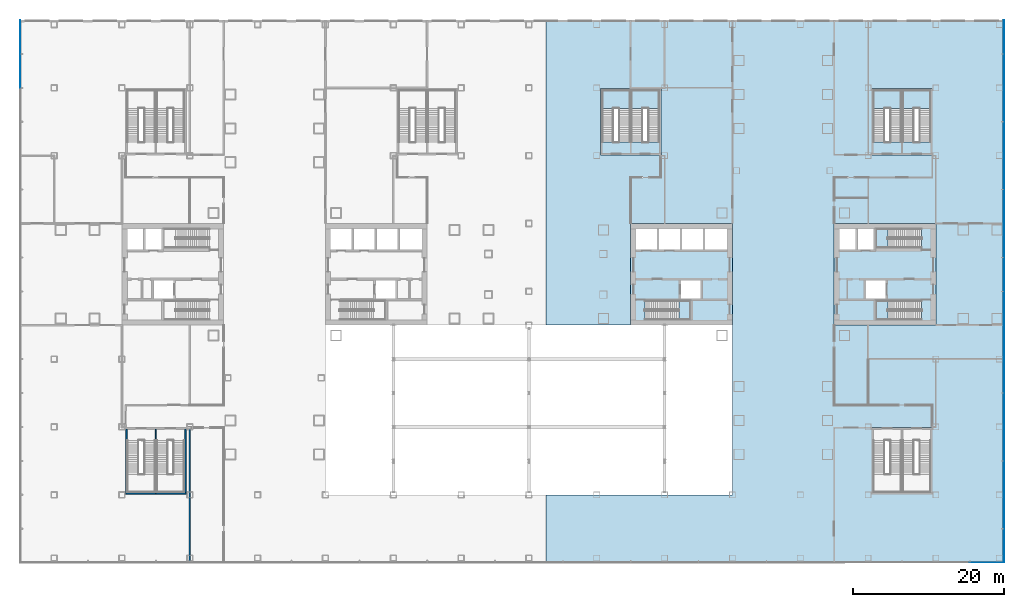
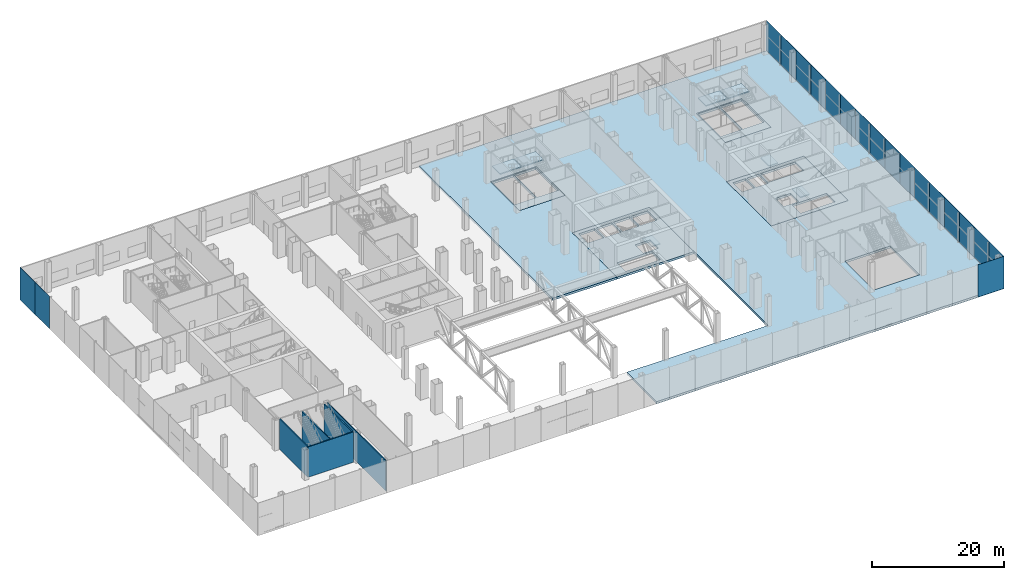
# One storey, part 17 of 33: 19 plates, 12 slabs, 5 walls, 10 elements without a shape of their own.
"""IFC4 building model written with IfcOpenShell, lengths in metres."""

from ifc_helpers import new_model, si_unit, direction, frame, frame_2d, origin, origin_2d, place, context, subcontext, project, spatial, polyline, rectangle, outline, extrude, material, layer, layer_set, type_object, element, aggregate, save


model = new_model("IFC4")

# Units and contexts
model_context = context("Model", 3, precision=1e-05, world=origin(), true_north=direction((0.0, 1.0)))
body_context = subcontext(model_context, "Body", "Model", "MODEL_VIEW")
ifc_project = project(units=[si_unit("LENGTHUNIT", "METRE"), si_unit("AREAUNIT", "SQUARE_METRE"), si_unit("VOLUMEUNIT", "CUBIC_METRE"), si_unit("PLANEANGLEUNIT", "RADIAN"), si_unit("MASSUNIT", "GRAM", prefix="KILO")], contexts=[model_context])

# Site, building, storey
site_placement = place(None, origin())
site = spatial("IfcSite", under=ifc_project, at=site_placement, CompositionType="ELEMENT")
building_placement = place(site_placement, origin())
building = spatial("IfcBuilding", under=site, at=building_placement, Name="Shamsa Quay Exchange Towers", CompositionType="ELEMENT")
storey_placement = place(building_placement, frame((0.0, 0.0, 6.5)))
storey = spatial("IfcBuildingStorey", under=building, at=storey_placement, Name="L01", CompositionType="ELEMENT", Elevation=6.5)

# Slabs
ifc_material_1 = material(Name="Concrete C50/60", Category="concrete")
ifc_layer_1 = layer(ifc_material_1, 0.39990234375)
ifc_layer_set_1 = layer_set([ifc_layer_1], Name="CORE FLOOR 400 C50/60")
slab_type_1 = type_object("IfcSlabType", Name="CORE FLOOR 400 C50/60", PredefinedType="FLOOR", material=ifc_layer_set_1)
slab_1_placement = place(storey_placement, frame((0.0, 0.0, -0.39990234375)))
element("IfcSlab", 1, at=slab_1_placement, inside=storey, type_object=slab_type_1, Name="Core floor T2A", PredefinedType="FLOOR", context=body_context, shape_type="SweptSolid", body=[
    extrude(outline(polyline([(13.5, -6.75), (27.0, -6.75), (27.0, 6.75), (13.5, 6.75), (13.5, -6.75)]), holes=[polyline([(15.400634765625, -6.050048828125), (15.400634765625, -3.5), (21.5, -3.5), (21.5, -6.050048828125), (15.400634765625, -6.050048828125)]), polyline([(14.199951171875, 3.25), (14.199951171875, 6.050048828125), (17.0, 6.050048828125), (17.0, 3.25), (14.199951171875, 3.25)]), polyline([(17.25, 3.25), (17.25, 6.050048828125), (20.050048828125, 6.050048828125), (20.050048828125, 3.25), (17.25, 3.25)]), polyline([(20.300048828125, 3.25), (20.300048828125, 6.050048828125), (23.10009765625, 6.050048828125), (23.10009765625, 3.25), (20.300048828125, 3.25)]), polyline([(23.35009765625, 3.25), (23.35009765625, 6.050048828125), (26.300048828125, 6.050048828125), (26.300048828125, 3.25), (23.35009765625, 3.25)]), polyline([(20.14990234375, -3.25), (20.14990234375, -0.75), (22.800048828125, -0.75), (22.800048828125, -3.25), (20.14990234375, -3.25)])]), origin(), (0.0, 0.0, 1.0), 0.39990234375),
])
slab_2_placement = place(storey_placement, frame((0.0, 0.0, -0.39990234375)))
element("IfcSlab", 2, at=slab_2_placement, inside=storey, type_object=slab_type_1, Name="Core floor T2B", PredefinedType="FLOOR", context=body_context, shape_type="SweptSolid", body=[
    extrude(outline(polyline([(54.0, -6.75), (54.0, 6.75), (40.5, 6.75), (40.5, -6.75), (54.0, -6.75)]), holes=[polyline([(52.099365234375, -3.5), (52.099365234375, -6.050048828125), (46.0, -6.050048828125), (46.0, -3.5), (52.099365234375, -3.5)]), polyline([(52.099365234375, 6.050048828125), (52.099365234375, 3.5), (46.0, 3.5), (46.0, 6.050048828125), (52.099365234375, 6.050048828125)]), polyline([(45.75, 3.25), (43.60009765625, 3.25), (43.60009765625, 6.050048828125), (45.75, 6.050048828125), (45.75, 3.25)]), polyline([(43.35009765625, 3.25), (41.199951171875, 3.25), (41.199951171875, 6.050048828125), (43.35009765625, 6.050048828125), (43.35009765625, 3.25)]), polyline([(47.35009765625, -3.25), (44.699951171875, -3.25), (44.699951171875, -0.75), (47.35009765625, -0.75), (47.35009765625, -3.25)])]), origin(), (0.0, 0.0, 1.0), 0.39990234375),
])
slab_3_placement = place(storey_placement, frame((0.0, 0.0, -0.39990234375)))
element("IfcSlab", 3, at=slab_3_placement, inside=storey, type_object=slab_type_1, Name="Stair floor PS3", PredefinedType="FLOOR", context=body_context, shape_type="SweptSolid", body=[
    extrude(outline(polyline([(9.5, 15.85009765625), (17.5, 15.85009765625), (17.5, 24.64990234375), (9.5, 24.64990234375), (9.5, 15.85009765625)]), holes=[polyline([(13.425048828125, 17.55078125), (9.699951171875, 17.55078125), (9.699951171875, 24.449951171875), (13.425048828125, 24.449951171875), (13.425048828125, 17.55078125)]), polyline([(17.300048828125, 17.55078125), (13.574951171875, 17.55078125), (13.574951171875, 24.449951171875), (17.300048828125, 24.449951171875), (17.300048828125, 17.55078125)])]), origin(), (0.0, 0.0, 1.0), 0.39990234375),
])
slab_4_placement = place(storey_placement, frame((0.0, 0.0, -0.39990234375)))
element("IfcSlab", 4, at=slab_4_placement, inside=storey, type_object=slab_type_1, Name="Stair floor PS4", PredefinedType="FLOOR", context=body_context, shape_type="SweptSolid", body=[
    extrude(outline(polyline([(45.5, 15.85009765625), (53.5, 15.85009765625), (53.5, 24.64990234375), (45.5, 24.64990234375), (45.5, 15.85009765625)]), holes=[polyline([(49.425048828125, 17.55078125), (45.699951171875, 17.55078125), (45.699951171875, 24.449951171875), (49.425048828125, 24.449951171875), (49.425048828125, 17.55078125)]), polyline([(53.300048828125, 17.55078125), (49.574951171875, 17.55078125), (49.574951171875, 24.449951171875), (53.300048828125, 24.449951171875), (53.300048828125, 17.55078125)])]), origin(), (0.0, 0.0, 1.0), 0.39990234375),
])

# Stair, slab
ifc_material_2 = material(Name="Concrete C40/50", Category="concrete")
stair_type_1 = type_object("IfcStairType", Name="EXIT STAIR 34 RISERS 176 MM", PredefinedType="HALF_TURN_STAIR", material=ifc_material_2)
stair_1_placement = place(storey_placement, origin())
stair_1 = element("IfcStair", 5, at=stair_1_placement, inside=storey, type_object=stair_type_1, Name="L01 Exit stair ST4", PredefinedType="HALF_TURN_STAIR")
ifc_layer_2 = layer(ifc_material_2, 0.199951171875)
ifc_layer_set_2 = layer_set([ifc_layer_2], Name="CORE STAIR LANDING")
slab_type_2 = type_object("IfcSlabType", Name="CORE STAIR LANDING", PredefinedType="LANDING", material=ifc_layer_set_2)
slab_5_placement = place(storey_placement, frame((0.0, 0.0, 2.800048828125)))
slab_5 = element("IfcSlab", 6, at=slab_5_placement, type_object=slab_type_2, Name="ST4 landing 1", PredefinedType="LANDING", context=body_context, shape_type="SweptSolid", body=[
    extrude(outline(polyline([(19.8798828125, -6.050048828125), (21.5, -6.050048828125), (21.5, -3.5), (19.8798828125, -3.5), (19.8798828125, -6.050048828125)])), origin(), (0.0, 0.0, 1.0), 0.199951171875),
])
aggregate(stair_1, [slab_5])

stair_2_placement = place(storey_placement, origin())
stair_2 = element("IfcStair", 7, at=stair_2_placement, inside=storey, type_object=stair_type_1, Name="L01 Exit stair ST5", PredefinedType="HALF_TURN_STAIR")
slab_6_placement = place(storey_placement, frame((0.0, 0.0, 2.800048828125)))
slab_6 = element("IfcSlab", 8, at=slab_6_placement, type_object=slab_type_2, Name="ST5 landing 1", PredefinedType="LANDING", context=body_context, shape_type="SweptSolid", body=[
    extrude(outline(polyline([(47.6201171875, -3.5), (46.0, -3.5), (46.0, -6.050048828125), (47.6201171875, -6.050048828125), (47.6201171875, -3.5)])), origin(), (0.0, 0.0, 1.0), 0.199951171875),
])
aggregate(stair_2, [slab_6])

stair_3_placement = place(storey_placement, origin())
stair_3 = element("IfcStair", 9, at=stair_3_placement, inside=storey, type_object=stair_type_1, Name="L01 Exit stair ST6", PredefinedType="HALF_TURN_STAIR")
slab_7_placement = place(storey_placement, frame((0.0, 0.0, 2.800048828125)))
slab_7 = element("IfcSlab", 10, at=slab_7_placement, type_object=slab_type_2, Name="ST6 landing 1", PredefinedType="LANDING", context=body_context, shape_type="SweptSolid", body=[
    extrude(outline(polyline([(47.6201171875, 6.050048828125), (46.0, 6.050048828125), (46.0, 3.5), (47.6201171875, 3.5), (47.6201171875, 6.050048828125)])), origin(), (0.0, 0.0, 1.0), 0.199951171875),
])
aggregate(stair_3, [slab_7])

stair_type_2 = type_object("IfcStairType", Name="PODIUM EXIT STAIR 34 RISERS 176 MM 1500 WIDE", PredefinedType="HALF_TURN_STAIR", material=ifc_material_2)
stair_4_placement = place(storey_placement, origin())
stair_4 = element("IfcStair", 11, at=stair_4_placement, inside=storey, type_object=stair_type_2, Name="L01 Exit stair PS3A", PredefinedType="HALF_TURN_STAIR")
slab_8_placement = place(storey_placement, frame((0.0, 0.0, 2.800048828125)))
slab_8 = element("IfcSlab", 12, at=slab_8_placement, type_object=slab_type_2, Name="PS3A landing 1", PredefinedType="LANDING", context=body_context, shape_type="SweptSolid", body=[
    extrude(outline(polyline([(13.425048828125, 22.030029296875), (13.425048828125, 24.449951171875), (9.699951171875, 24.449951171875), (9.699951171875, 22.030029296875), (13.425048828125, 22.030029296875)])), origin(), (0.0, 0.0, 1.0), 0.199951171875),
])
aggregate(stair_4, [slab_8])

stair_5_placement = place(storey_placement, origin())
stair_5 = element("IfcStair", 13, at=stair_5_placement, inside=storey, type_object=stair_type_2, Name="L01 Exit stair PS3B", PredefinedType="HALF_TURN_STAIR")
slab_9_placement = place(storey_placement, frame((0.0, 0.0, 2.800048828125)))
slab_9 = element("IfcSlab", 14, at=slab_9_placement, type_object=slab_type_2, Name="PS3B landing 1", PredefinedType="LANDING", context=body_context, shape_type="SweptSolid", body=[
    extrude(outline(polyline([(17.300048828125, 22.030029296875), (17.300048828125, 24.449951171875), (13.574951171875, 24.449951171875), (13.574951171875, 22.030029296875), (17.300048828125, 22.030029296875)])), origin(), (0.0, 0.0, 1.0), 0.199951171875),
])
aggregate(stair_5, [slab_9])

stair_6_placement = place(storey_placement, origin())
stair_6 = element("IfcStair", 15, at=stair_6_placement, inside=storey, type_object=stair_type_2, Name="L01 Exit stair PS4A", PredefinedType="HALF_TURN_STAIR")
slab_10_placement = place(storey_placement, frame((0.0, 0.0, 2.800048828125)))
slab_10 = element("IfcSlab", 16, at=slab_10_placement, type_object=slab_type_2, Name="PS4A landing 1", PredefinedType="LANDING", context=body_context, shape_type="SweptSolid", body=[
    extrude(outline(polyline([(49.425048828125, 22.030029296875), (49.425048828125, 24.449951171875), (45.699951171875, 24.449951171875), (45.699951171875, 22.030029296875), (49.425048828125, 22.030029296875)])), origin(), (0.0, 0.0, 1.0), 0.199951171875),
])
aggregate(stair_6, [slab_10])

stair_7_placement = place(storey_placement, origin())
stair_7 = element("IfcStair", 17, at=stair_7_placement, inside=storey, type_object=stair_type_2, Name="L01 Exit stair PS4B", PredefinedType="HALF_TURN_STAIR")
slab_11_placement = place(storey_placement, frame((0.0, 0.0, 2.800048828125)))
slab_11 = element("IfcSlab", 18, at=slab_11_placement, type_object=slab_type_2, Name="PS4B landing 1", PredefinedType="LANDING", context=body_context, shape_type="SweptSolid", body=[
    extrude(outline(polyline([(53.300048828125, 22.030029296875), (53.300048828125, 24.449951171875), (49.574951171875, 24.449951171875), (49.574951171875, 22.030029296875), (53.300048828125, 22.030029296875)])), origin(), (0.0, 0.0, 1.0), 0.199951171875),
])
aggregate(stair_7, [slab_11])

# Curtain wall, plates
ifc_material_3 = material(Name="Aluminium EN AW-6063 T6, black anodised", Category="aluminium")
ifc_layer_3 = layer(ifc_material_3, 0.33203125)
ifc_layer_set_3 = layer_set([ifc_layer_3], Name="CW-3 PODIUM SHOPFRONT GLAZING")
curtain_wall_type = type_object("IfcCurtainWallType", Name="CW-3 PODIUM SHOPFRONT GLAZING", PredefinedType="NOTDEFINED", material=ifc_layer_set_3)
curtain_wall_1_placement = place(storey_placement, origin())
curtain_wall_1 = element("IfcCurtainWall", 19, at=curtain_wall_1_placement, inside=storey, type_object=curtain_wall_type, Name="CW3 PODIUM-L01-F00", PredefinedType="NOTDEFINED")
ifc_material_4 = material(Name="Glass, laminated, impact rated, clear low iron", Category="glass")
ifc_layer_4 = layer(ifc_material_4, 0.031982421875)
ifc_layer_set_4 = layer_set([ifc_layer_4], Name="CW-3 SHOPFRONT GLASS 32")
plate_type = type_object("IfcPlateType", Name="CW-3 SHOPFRONT GLASS 32", PredefinedType="CURTAIN_PANEL", material=ifc_layer_set_4)
plate_1_placement = place(storey_placement, frame((63.01611328125, -36.00244140625, -0.35009765625), z_axis=(0.0, 0.0, 1.0), x_axis=(0.0, 1.0, 0.0)))
plate_1 = element("IfcPlate", 20, at=plate_1_placement, type_object=plate_type, Name="CW3 glass panel", PredefinedType="CURTAIN_PANEL", context=body_context, shape_type="SweptSolid", body=[
    extrude(rectangle(XDim=4.4951171875, YDim=0.031982421875, at=origin_2d()), origin(), (0.0, 0.0, 1.0), 6.0),
])
plate_2_placement = place(storey_placement, frame((63.01611328125, -31.5, -0.35009765625), z_axis=(0.0, 0.0, 1.0), x_axis=(0.0, 1.0, 0.0)))
plate_2 = element("IfcPlate", 21, at=plate_2_placement, type_object=plate_type, Name="CW3 glass panel", PredefinedType="CURTAIN_PANEL", context=body_context, shape_type="SweptSolid", body=[
    extrude(rectangle(XDim=4.489990234375, YDim=0.031982421875, at=origin_2d()), origin(), (0.0, 0.0, 1.0), 6.0),
])
plate_3_placement = place(storey_placement, frame((63.01611328125, -27.0, -0.35009765625), z_axis=(0.0, 0.0, 1.0), x_axis=(0.0, 1.0, 0.0)))
plate_3 = element("IfcPlate", 22, at=plate_3_placement, type_object=plate_type, Name="CW3 glass panel", PredefinedType="CURTAIN_PANEL", context=body_context, shape_type="SweptSolid", body=[
    extrude(rectangle(XDim=4.489990234375, YDim=0.031982421875, at=origin_2d()), origin(), (0.0, 0.0, 1.0), 6.0),
])
plate_4_placement = place(storey_placement, frame((63.01611328125, -22.5, -0.35009765625), z_axis=(0.0, 0.0, 1.0), x_axis=(0.0, 1.0, 0.0)))
plate_4 = element("IfcPlate", 23, at=plate_4_placement, type_object=plate_type, Name="CW3 glass panel", PredefinedType="CURTAIN_PANEL", context=body_context, shape_type="SweptSolid", body=[
    extrude(rectangle(XDim=4.489990234375, YDim=0.031982421875, at=origin_2d()), origin(), (0.0, 0.0, 1.0), 6.0),
])
plate_5_placement = place(storey_placement, frame((63.01611328125, -18.0, -0.35009765625), z_axis=(0.0, 0.0, 1.0), x_axis=(0.0, 1.0, 0.0)))
plate_5 = element("IfcPlate", 24, at=plate_5_placement, type_object=plate_type, Name="CW3 glass panel", PredefinedType="CURTAIN_PANEL", context=body_context, shape_type="SweptSolid", body=[
    extrude(rectangle(XDim=4.489990234375, YDim=0.031982421875, at=origin_2d()), origin(), (0.0, 0.0, 1.0), 6.0),
])
plate_6_placement = place(storey_placement, frame((63.01611328125, -13.5, -0.35009765625), z_axis=(0.0, 0.0, 1.0), x_axis=(0.0, 1.0, 0.0)))
plate_6 = element("IfcPlate", 25, at=plate_6_placement, type_object=plate_type, Name="CW3 glass panel", PredefinedType="CURTAIN_PANEL", context=body_context, shape_type="SweptSolid", body=[
    extrude(rectangle(XDim=4.489990234375, YDim=0.031982421875, at=origin_2d()), origin(), (0.0, 0.0, 1.0), 6.0),
])
plate_7_placement = place(storey_placement, frame((63.01611328125, -9.0, -0.35009765625), z_axis=(0.0, 0.0, 1.0), x_axis=(0.0, 1.0, 0.0)))
plate_7 = element("IfcPlate", 26, at=plate_7_placement, type_object=plate_type, Name="CW3 glass panel", PredefinedType="CURTAIN_PANEL", context=body_context, shape_type="SweptSolid", body=[
    extrude(rectangle(XDim=4.489990234375, YDim=0.031982421875, at=origin_2d()), origin(), (0.0, 0.0, 1.0), 6.0),
])
plate_8_placement = place(storey_placement, frame((63.01611328125, -4.5, -0.35009765625), z_axis=(0.0, 0.0, 1.0), x_axis=(0.0, 1.0, 0.0)))
plate_8 = element("IfcPlate", 27, at=plate_8_placement, type_object=plate_type, Name="CW3 glass panel", PredefinedType="CURTAIN_PANEL", context=body_context, shape_type="SweptSolid", body=[
    extrude(rectangle(XDim=4.489990234375, YDim=0.031982421875, at=origin_2d()), origin(), (0.0, 0.0, 1.0), 6.0),
])
plate_9_placement = place(storey_placement, frame((63.01611328125, 0.0, -0.35009765625), z_axis=(0.0, 0.0, 1.0), x_axis=(0.0, 1.0, 0.0)))
plate_9 = element("IfcPlate", 28, at=plate_9_placement, type_object=plate_type, Name="CW3 glass panel", PredefinedType="CURTAIN_PANEL", context=body_context, shape_type="SweptSolid", body=[
    extrude(rectangle(XDim=4.489990234375, YDim=0.031982421875, at=origin_2d()), origin(), (0.0, 0.0, 1.0), 6.0),
])
plate_10_placement = place(storey_placement, frame((63.01611328125, 4.5, -0.35009765625), z_axis=(0.0, 0.0, 1.0), x_axis=(0.0, 1.0, 0.0)))
plate_10 = element("IfcPlate", 29, at=plate_10_placement, type_object=plate_type, Name="CW3 glass panel", PredefinedType="CURTAIN_PANEL", context=body_context, shape_type="SweptSolid", body=[
    extrude(rectangle(XDim=4.489990234375, YDim=0.031982421875, at=origin_2d()), origin(), (0.0, 0.0, 1.0), 6.0),
])
plate_11_placement = place(storey_placement, frame((63.01611328125, 9.0, -0.35009765625), z_axis=(0.0, 0.0, 1.0), x_axis=(0.0, 1.0, 0.0)))
plate_11 = element("IfcPlate", 30, at=plate_11_placement, type_object=plate_type, Name="CW3 glass panel", PredefinedType="CURTAIN_PANEL", context=body_context, shape_type="SweptSolid", body=[
    extrude(rectangle(XDim=4.489990234375, YDim=0.031982421875, at=origin_2d()), origin(), (0.0, 0.0, 1.0), 6.0),
])
plate_12_placement = place(storey_placement, frame((63.01611328125, 13.5, -0.35009765625), z_axis=(0.0, 0.0, 1.0), x_axis=(0.0, 1.0, 0.0)))
plate_12 = element("IfcPlate", 31, at=plate_12_placement, type_object=plate_type, Name="CW3 glass panel", PredefinedType="CURTAIN_PANEL", context=body_context, shape_type="SweptSolid", body=[
    extrude(rectangle(XDim=4.489990234375, YDim=0.031982421875, at=origin_2d()), origin(), (0.0, 0.0, 1.0), 6.0),
])
plate_13_placement = place(storey_placement, frame((63.01611328125, 18.0, -0.35009765625), z_axis=(0.0, 0.0, 1.0), x_axis=(0.0, 1.0, 0.0)))
plate_13 = element("IfcPlate", 32, at=plate_13_placement, type_object=plate_type, Name="CW3 glass panel", PredefinedType="CURTAIN_PANEL", context=body_context, shape_type="SweptSolid", body=[
    extrude(rectangle(XDim=4.489990234375, YDim=0.031982421875, at=origin_2d()), origin(), (0.0, 0.0, 1.0), 6.0),
])
plate_14_placement = place(storey_placement, frame((63.01611328125, 22.5, -0.35009765625), z_axis=(0.0, 0.0, 1.0), x_axis=(0.0, 1.0, 0.0)))
plate_14 = element("IfcPlate", 33, at=plate_14_placement, type_object=plate_type, Name="CW3 glass panel", PredefinedType="CURTAIN_PANEL", context=body_context, shape_type="SweptSolid", body=[
    extrude(rectangle(XDim=4.489990234375, YDim=0.031982421875, at=origin_2d()), origin(), (0.0, 0.0, 1.0), 6.0),
])
plate_15_placement = place(storey_placement, frame((63.01611328125, 27.0, -0.35009765625), z_axis=(0.0, 0.0, 1.0), x_axis=(0.0, 1.0, 0.0)))
plate_15 = element("IfcPlate", 34, at=plate_15_placement, type_object=plate_type, Name="CW3 glass panel", PredefinedType="CURTAIN_PANEL", context=body_context, shape_type="SweptSolid", body=[
    extrude(rectangle(XDim=4.489990234375, YDim=0.031982421875, at=origin_2d()), origin(), (0.0, 0.0, 1.0), 6.0),
])
plate_16_placement = place(storey_placement, frame((63.01611328125, 31.50244140625, -0.35009765625), z_axis=(0.0, 0.0, 1.0), x_axis=(0.0, 1.0, 0.0)))
plate_16 = element("IfcPlate", 35, at=plate_16_placement, type_object=plate_type, Name="CW3 glass panel", PredefinedType="CURTAIN_PANEL", context=body_context, shape_type="SweptSolid", body=[
    extrude(rectangle(XDim=4.4951171875, YDim=0.031982421875, at=origin_2d()), origin(), (0.0, 0.0, 1.0), 6.0),
])
aggregate(curtain_wall_1, [plate_1, plate_2, plate_3, plate_4, plate_5, plate_6, plate_7, plate_8, plate_9, plate_10, plate_11, plate_12, plate_13, plate_14, plate_15, plate_16])

curtain_wall_2_placement = place(storey_placement, origin())
curtain_wall_2 = element("IfcCurtainWall", 36, at=curtain_wall_2_placement, inside=storey, type_object=curtain_wall_type, Name="CW3 PODIUM-L01-F02", PredefinedType="NOTDEFINED")
plate_17_placement = place(storey_placement, frame((-67.51611328125, 31.50244140625, -0.35009765625), z_axis=(0.0, 0.0, 1.0), x_axis=(0.0, -1.0, 0.0)))
plate_17 = element("IfcPlate", 37, at=plate_17_placement, type_object=plate_type, Name="CW3 glass panel", PredefinedType="CURTAIN_PANEL", context=body_context, shape_type="SweptSolid", body=[
    extrude(rectangle(XDim=4.4951171875, YDim=0.031982421875, at=origin_2d()), origin(), (0.0, 0.0, 1.0), 6.0),
])
plate_18_placement = place(storey_placement, frame((-67.51611328125, 27.0, -0.35009765625), z_axis=(0.0, 0.0, 1.0), x_axis=(0.0, -1.0, 0.0)))
plate_18 = element("IfcPlate", 38, at=plate_18_placement, type_object=plate_type, Name="CW3 glass panel", PredefinedType="CURTAIN_PANEL", context=body_context, shape_type="SweptSolid", body=[
    extrude(rectangle(XDim=4.489990234375, YDim=0.031982421875, at=origin_2d()), origin(), (0.0, 0.0, 1.0), 6.0),
])
aggregate(curtain_wall_2, [plate_17, plate_18])

# Curtain wall, plate
curtain_wall_3_placement = place(storey_placement, origin())
curtain_wall_3 = element("IfcCurtainWall", 39, at=curtain_wall_3_placement, inside=storey, type_object=curtain_wall_type, Name="CW3 PODIUM-L01-F03", PredefinedType="NOTDEFINED")
plate_19_placement = place(storey_placement, frame((60.75244140625, -38.26611328125, -0.35009765625)))
plate_19 = element("IfcPlate", 40, at=plate_19_placement, type_object=plate_type, Name="CW3 glass panel", PredefinedType="CURTAIN_PANEL", context=body_context, shape_type="SweptSolid", body=[
    extrude(rectangle(XDim=4.4951171875, YDim=0.031982421875, at=origin_2d()), origin(), (0.0, 0.0, 1.0), 6.0),
])
aggregate(curtain_wall_3, [plate_19])

# Slab
ifc_layer_5 = layer(ifc_material_2, 0.39990234375)
ifc_layer_set_5 = layer_set([ifc_layer_5], Name="Flat slab 400")
slab_type_3 = type_object("IfcSlabType", Name="Flat slab 400", PredefinedType="FLOOR", material=ifc_layer_set_5)
slab_12_placement = place(storey_placement, frame((0.0, 0.0, -0.39990234375)))
element("IfcSlab", 41, at=slab_12_placement, inside=storey, type_object=slab_type_3, Name="Flat slab PD L01 2", PredefinedType="FLOOR", context=body_context, shape_type="SweptSolid", body=[
    extrude(outline(polyline([(63.0, 33.75), (2.25, 33.75), (2.25, -6.75), (13.5, -6.75), (13.5, 6.75), (27.0, 6.75), (27.0, -29.25), (2.25, -29.25), (2.25, -38.25), (63.0, -38.25), (63.0, 33.75)]), holes=[polyline([(45.5, -20.35009765625), (45.5, -29.14990234375), (53.5, -29.14990234375), (53.5, -20.35009765625), (45.5, -20.35009765625)]), polyline([(40.5, -6.75), (54.0, -6.75), (54.0, 6.75), (40.5, 6.75), (40.5, -6.75)]), polyline([(9.5, 24.64990234375), (9.5, 15.85009765625), (17.5, 15.85009765625), (17.5, 24.64990234375), (9.5, 24.64990234375)]), polyline([(45.5, 24.64990234375), (45.5, 15.85009765625), (53.5, 15.85009765625), (53.5, 24.64990234375), (45.5, 24.64990234375)])]), origin(), (0.0, 0.0, 1.0), 0.39990234375),
])

# Walls
ifc_material_5 = material(Name="Gypsum board partition on metal studs")
ifc_layer_6 = layer(ifc_material_5, 0.14990234375)
ifc_layer_set_6 = layer_set([ifc_layer_6], Name="Partition 150 mm EI 60")
wall_type_1 = type_object("IfcWallType", Name="Partition 150 mm EI 60", PredefinedType="PARTITIONING", material=ifc_layer_set_6)
wall_1_placement = place(storey_placement, frame((-45.0, -38.155029296875, 0.0), z_axis=(0.0, 0.0, 1.0), x_axis=(0.0, 1.0, 0.0)))
element("IfcWall", 42, at=wall_1_placement, inside=storey, type_object=wall_type_1, Name="Partition PD-L01-W44", PredefinedType="PARTITIONING", context=body_context, shape_type="SweptSolid", body=[
    extrude(rectangle(XDim=17.73046875, YDim=0.14990234375, at=frame_2d((8.865234375, 0.0))), origin(), (0.0, 0.0, 1.0), 5.60009765625),
])
ifc_layer_7 = layer(ifc_material_1, 0.199951171875)
ifc_layer_set_7 = layer_set([ifc_layer_7], Name="STAIR ENCLOSURE WALL 200 C50/60")
wall_type_2 = type_object("IfcWallType", Name="STAIR ENCLOSURE WALL 200 C50/60", PredefinedType="SHEAR", material=ifc_layer_set_7)
wall_2_placement = place(storey_placement, frame((-53.5, -29.050048828125, 0.0)))
element("IfcWall", 43, at=wall_2_placement, inside=storey, type_object=wall_type_2, Name="Stair enclosure wall PS5 outward", PredefinedType="SHEAR", context=body_context, shape_type="SweptSolid", body=[
    extrude(rectangle(XDim=8.0, YDim=0.199951171875, at=frame_2d((4.0, 0.0))), origin(), (0.0, 0.0, 1.0), 5.60009765625),
])
for number, where, z_axis, x_axis, name in (
    (44, (-53.39990234375, -28.949951171875, 0.0), (0.0, 0.0, 1.0), (0.0, 1.0, 0.0), "Stair enclosure wall PS5 west"),
    (45, (-45.60009765625, -28.949951171875, 0.0), (0.0, 0.0, 1.0), (0.0, 1.0, 0.0), "Stair enclosure wall PS5 east"),
):
    element("IfcWall", number, at=place(storey_placement, frame(where, z_axis=z_axis, x_axis=x_axis)), inside=storey, type_object=wall_type_2, Name=name, PredefinedType="SHEAR", context=body_context, shape_type="SweptSolid", body=[
        extrude(rectangle(XDim=8.39990234375, YDim=0.199951171875, at=frame_2d((4.199951171875, 0.0))), origin(), (0.0, 0.0, 1.0), 5.60009765625),
    ])
ifc_layer_8 = layer(ifc_material_1, 0.14990234375)
ifc_layer_set_8 = layer_set([ifc_layer_8], Name="STAIR PARTITION WALL 150 C50/60")
wall_type_3 = type_object("IfcWallType", Name="STAIR PARTITION WALL 150 C50/60", PredefinedType="SHEAR", material=ifc_layer_set_8)
wall_3_placement = place(storey_placement, frame((-49.5, -28.949951171875, 0.0), z_axis=(0.0, 0.0, 1.0), x_axis=(0.0, 1.0, 0.0)))
element("IfcWall", 46, at=wall_3_placement, inside=storey, type_object=wall_type_3, Name="Stair enclosure wall PS5 between the stairs", PredefinedType="SHEAR", context=body_context, shape_type="SweptSolid", body=[
    extrude(rectangle(XDim=8.39990234375, YDim=0.14990234375, at=frame_2d((4.199951171875, 0.0))), origin(), (0.0, 0.0, 1.0), 5.60009765625),
])

save(model, "model.ifc")
